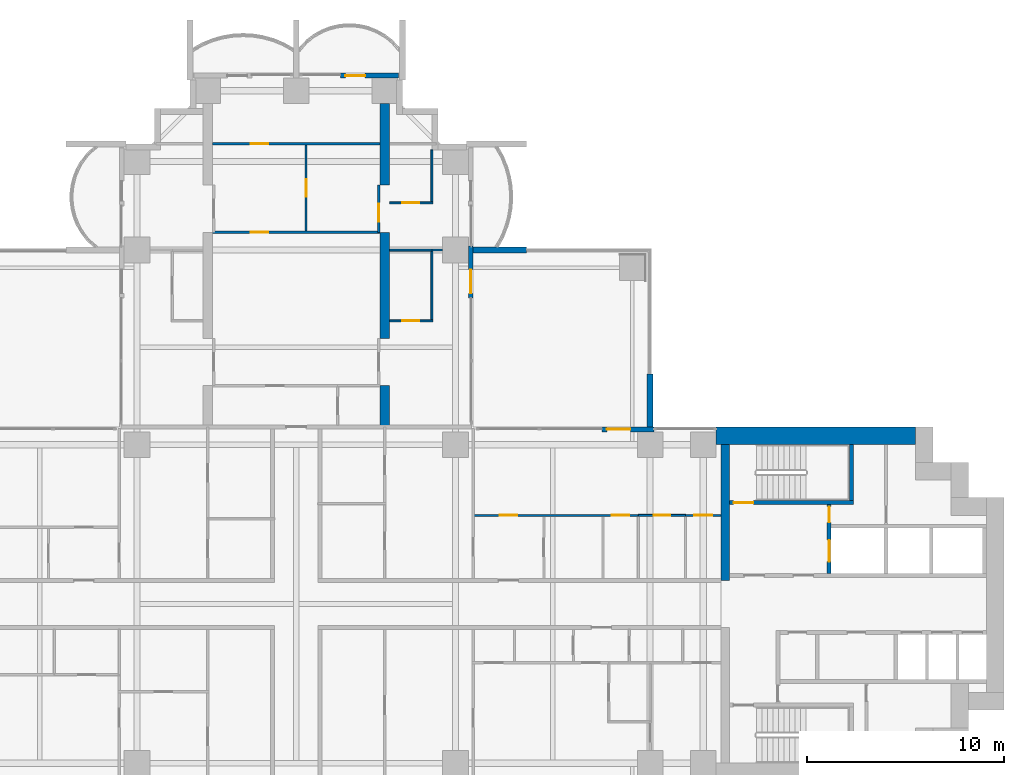
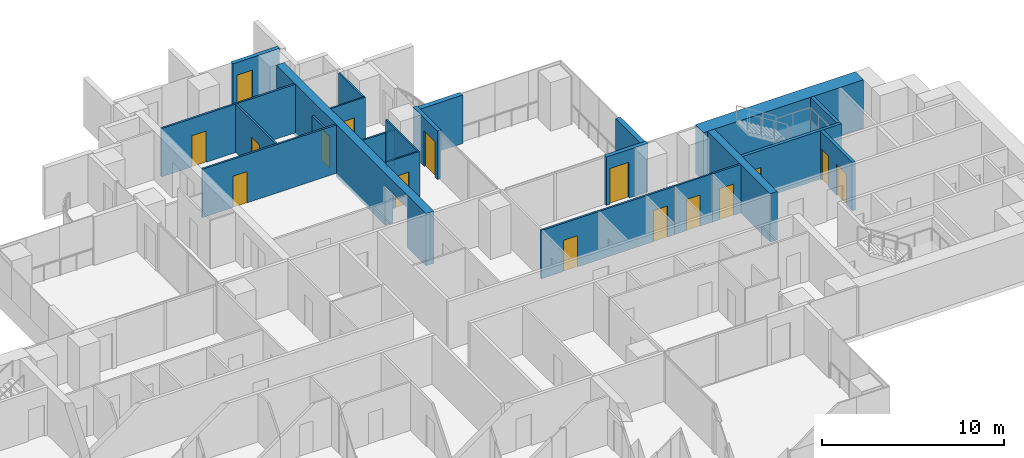
# One storey, part 15 of 21: 24 walls, 16 doors, 16 openings.
"""IFC4 building model written with IfcOpenShell, lengths in metres."""

from ifc_helpers import new_model, si_unit, direction, frame, frame_2d, origin, place, context, subcontext, project, spatial, polyline, rectangle, outline, extrude, material, layer, layer_set, material_profile, profile_set, type_object, element, fill, save


model = new_model("IFC4")

# Units and contexts
model_context = context("Model", 3, precision=1e-05, world=origin(), true_north=direction((0.0, 1.0)))
body_context = subcontext(model_context, "Body", "Model", "MODEL_VIEW")
ifc_project = project(units=[si_unit("LENGTHUNIT", "METRE"), si_unit("AREAUNIT", "SQUARE_METRE"), si_unit("VOLUMEUNIT", "CUBIC_METRE"), si_unit("PLANEANGLEUNIT", "RADIAN"), si_unit("MASSUNIT", "GRAM", prefix="KILO")], contexts=[model_context])

# Site, building, storey
site_placement = place(None, origin())
site = spatial("IfcSite", under=ifc_project, at=site_placement, CompositionType="ELEMENT")
building_placement = place(site_placement, origin())
building = spatial("IfcBuilding", under=site, at=building_placement, Name="Perihelion Cross Residences", CompositionType="ELEMENT")
storey_placement = place(building_placement, frame((0.0, 0.0, 57.5)))
storey = spatial("IfcBuildingStorey", under=building, at=storey_placement, Name="L11", CompositionType="ELEMENT", Elevation=57.5)

# Wall, opening, door
ifc_material_1 = material(Name="Concrete C30/37, bronze-clad", Category="concrete")
ifc_layer_1 = layer(ifc_material_1, 0.25)
ifc_layer_set_1 = layer_set([ifc_layer_1], Name="Bronze-clad pier wall 250")
wall_type_1 = type_object("IfcWallType", Name="Bronze-clad pier wall 250", PredefinedType="SOLIDWALL", material=ifc_layer_set_1)
wall_1_placement = place(storey_placement, frame((18.199951171875, 8.875, 0.0), z_axis=(0.0, 0.0, 1.0), x_axis=(-1.0, 0.0, 0.0)))
wall_1 = element("IfcWall", 1, at=wall_1_placement, inside=storey, type_object=wall_type_1, Name="Wall FW1 L11 east side north bay 2 pier", PredefinedType="SOLIDWALL", context=body_context, shape_type="SweptSolid", body=[
    extrude(rectangle(XDim=2.64990234375, YDim=0.25, at=frame_2d((1.324951171875, 0.0))), origin(), (0.0, 0.0, 1.0), 3.25),
])
opening_1_placement = place(wall_1_placement, frame((1.199951171875, 0.0, 0.0)))
opening_1 = element("IfcOpeningElement", 2, at=opening_1_placement, cuts=wall_1, Name="Opening L11.E01", PredefinedType="OPENING", context=body_context, shape_type="SweptSolid", body=[
    extrude(rectangle(XDim=1.199951171875, YDim=2.39990234375, at=frame_2d((0.60009765625, 1.199951171875))), frame((0.0, 0.135009765625, 0.0), z_axis=(0.0, -1.0, 0.0), x_axis=(1.0, 0.0, 0.0)), (0.0, 0.0, 1.0), 0.27001953125),
])
ifc_material_2 = material(Name="Bronze anodised aluminium, glazed", Category="aluminium")
door_type_1 = type_object("IfcDoorType", Name="Balcony door 1200 x 2400", OperationType="NOTDEFINED", PredefinedType="DOOR", material=ifc_material_2)
door_1_placement = place(opening_1_placement, origin())
door_1 = element("IfcDoor", 3, at=door_1_placement, inside=storey, type_object=door_type_1, Name="Door L11.E01 east side north bay 2", OperationType="SINGLE_SWING_RIGHT", OverallHeight=2.39990234375, OverallWidth=1.199951171875, PredefinedType="DOOR", context=body_context, shape_type="SweptSolid", body=[
    extrude(rectangle(XDim=1.199951171875, YDim=2.39990234375, at=frame_2d((0.60009765625, 1.199951171875))), frame((0.0, 0.02490234375, 0.0), z_axis=(0.0, -1.0, 0.0), x_axis=(1.0, 0.0, 0.0)), (0.0, 0.0, 1.0), 0.050048828125),
])
fill(opening_1, door_1)

wall_2_placement = place(storey_placement, frame((8.875, 15.550048828125, 0.0), z_axis=(0.0, 0.0, 1.0), x_axis=(0.0, 1.0, 0.0)))
wall_2 = element("IfcWall", 4, at=wall_2_placement, inside=storey, type_object=wall_type_1, Name="Wall FW1 L11 north side east bay 1 pier", PredefinedType="SOLIDWALL", context=body_context, shape_type="SweptSolid", body=[
    extrude(rectangle(XDim=2.64990234375, YDim=0.25, at=frame_2d((1.324951171875, 0.0))), origin(), (0.0, 0.0, 1.0), 3.25),
])
opening_2_placement = place(wall_2_placement, frame((0.25, 0.0, 0.0)))
opening_2 = element("IfcOpeningElement", 5, at=opening_2_placement, cuts=wall_2, Name="Opening L11.E02", PredefinedType="OPENING", context=body_context, shape_type="SweptSolid", body=[
    extrude(rectangle(XDim=1.199951171875, YDim=2.39990234375, at=frame_2d((0.60009765625, 1.199951171875))), frame((0.0, 0.135009765625, 0.0), z_axis=(0.0, -1.0, 0.0), x_axis=(1.0, 0.0, 0.0)), (0.0, 0.0, 1.0), 0.27001953125),
])
door_2_placement = place(opening_2_placement, origin())
door_2 = element("IfcDoor", 6, at=door_2_placement, inside=storey, type_object=door_type_1, Name="Door L11.E02 north side east bay 1", OperationType="SINGLE_SWING_LEFT", OverallHeight=2.39990234375, OverallWidth=1.199951171875, PredefinedType="DOOR", context=body_context, shape_type="SweptSolid", body=[
    extrude(rectangle(XDim=1.199951171875, YDim=2.39990234375, at=frame_2d((0.60009765625, 1.199951171875))), frame((0.0, 0.02490234375, 0.0), z_axis=(0.0, -1.0, 0.0), x_axis=(1.0, 0.0, 0.0)), (0.0, 0.0, 1.0), 0.050048828125),
])
fill(opening_2, door_2)

wall_3_placement = place(storey_placement, frame((5.199951171875, 26.875, 0.0), z_axis=(0.0, 0.0, 1.0), x_axis=(-1.0, 0.0, 0.0)))
wall_3 = element("IfcWall", 7, at=wall_3_placement, inside=storey, type_object=wall_type_1, Name="Wall FW1 L11 north tip north bay 1 pier", PredefinedType="SOLIDWALL", context=body_context, shape_type="SweptSolid", body=[
    extrude(rectangle(XDim=2.949951171875, YDim=0.25, at=frame_2d((1.47509765625, 0.0))), origin(), (0.0, 0.0, 1.0), 3.25),
])
opening_3_placement = place(wall_3_placement, frame((1.699951171875, 0.0, 0.0)))
opening_3 = element("IfcOpeningElement", 8, at=opening_3_placement, cuts=wall_3, Name="Opening L11.E04", PredefinedType="OPENING", context=body_context, shape_type="SweptSolid", body=[
    extrude(rectangle(XDim=1.0, YDim=2.39990234375, at=frame_2d((0.5, 1.199951171875))), frame((0.0, 0.135009765625, 0.0), z_axis=(0.0, -1.0, 0.0), x_axis=(1.0, 0.0, 0.0)), (0.0, 0.0, 1.0), 0.27001953125),
])
ifc_material_3 = material(Name="Bronze anodised aluminium, glazed", Category="aluminium")
door_type_2 = type_object("IfcDoorType", Name="Balcony door 1000 x 2400", OperationType="NOTDEFINED", PredefinedType="DOOR", material=ifc_material_3)
door_3_placement = place(opening_3_placement, origin())
door_3 = element("IfcDoor", 9, at=door_3_placement, inside=storey, type_object=door_type_2, Name="Door L11.E04 north tip north bay 1", OperationType="SINGLE_SWING_LEFT", OverallHeight=2.39990234375, OverallWidth=1.0, PredefinedType="DOOR", context=body_context, shape_type="SweptSolid", body=[
    extrude(rectangle(XDim=1.0, YDim=2.39990234375, at=frame_2d((0.5, 1.199951171875))), frame((0.0, 0.02490234375, 0.0), z_axis=(0.0, -1.0, 0.0), x_axis=(1.0, 0.0, 0.0)), (0.0, 0.0, 1.0), 0.050048828125),
])
fill(opening_3, door_3)

# Walls
ifc_material_4 = material(Name="Concrete C60/75", Category="concrete")
ifc_layer_2 = layer(ifc_material_4, 0.449951171875)
ifc_layer_set_2 = layer_set([ifc_layer_2], Name="Core wall, inner 450")
wall_type_2 = type_object("IfcWallType", Name="Core wall, inner 450", PredefinedType="SHEAR", material=ifc_layer_set_2)
wall_4_placement = place(storey_placement, frame((21.824951171875, 1.199951171875, 0.0), z_axis=(0.0, 0.0, 1.0), x_axis=(0.0, 1.0, 0.0)))
element("IfcWall", 10, at=wall_4_placement, inside=storey, type_object=wall_type_2, Name="East core core wall, inner", PredefinedType="SHEAR", context=body_context, shape_type="SweptSolid", body=[
    extrude(rectangle(XDim=6.900146484375, YDim=0.449951171875, at=frame_2d((3.4501953125, 0.0))), origin(), (0.0, 0.0, 1.0), 3.25),
])
ifc_material_5 = material(Name="Concrete C60/75", Category="concrete")
ifc_layer_3 = layer(ifc_material_5, 0.89990234375)
ifc_layer_set_3 = layer_set([ifc_layer_3], Name="Core wall, outer 900")
wall_type_3 = type_object("IfcWallType", Name="Core wall, outer 900", PredefinedType="SHEAR", material=ifc_layer_set_3)
wall_5_placement = place(storey_placement, frame((21.35009765625, 8.550048828125, 0.0), z_axis=(0.0, 0.0, 1.0), x_axis=(1.0, 0.0, 0.0)))
element("IfcWall", 11, at=wall_5_placement, inside=storey, type_object=wall_type_3, Name="East core core wall, outer", PredefinedType="SHEAR", context=body_context, shape_type="SweptSolid", body=[
    extrude(rectangle(XDim=10.14990234375, YDim=0.89990234375, at=frame_2d((5.074951171875, 0.0))), origin(), (0.0, 0.0, 1.0), 3.25),
])

# Wall, opening, door
ifc_material_6 = material(Name="Plasterboard partition")
ifc_layer_4 = layer(ifc_material_6, 0.1201171875)
ifc_layer_set_4 = layer_set([ifc_layer_4], Name="Infill panel 120")
wall_type_4 = type_object("IfcWallType", Name="Infill panel 120", PredefinedType="PARTITIONING", material=ifc_layer_set_4)
wall_6_placement = place(storey_placement, frame((4.18994140625, 18.89990234375, 0.0), z_axis=(0.0, 0.0, 1.0), x_axis=(0.0, 1.0, 0.0)))
wall_6 = element("IfcWall", 12, at=wall_6_placement, inside=storey, type_object=wall_type_4, Name="Partition L11 WI02", PredefinedType="PARTITIONING", context=body_context, shape_type="SweptSolid", body=[
    extrude(rectangle(XDim=2.400146484375, YDim=0.1201171875, at=frame_2d((1.2001953125, 0.0))), origin(), (0.0, 0.0, 1.0), 2.39990234375),
])
opening_4_placement = place(wall_6_placement, frame((0.550048828125, 0.0, 0.0)))
opening_4 = element("IfcOpeningElement", 13, at=opening_4_placement, cuts=wall_6, Name="Opening L11.A58", PredefinedType="OPENING", context=body_context, shape_type="SweptSolid", body=[
    extrude(rectangle(XDim=0.89990234375, YDim=2.10009765625, at=frame_2d((0.449951171875, 1.050048828125))), frame((0.0, 0.070068359375, 0.0), z_axis=(0.0, -1.0, 0.0), x_axis=(1.0, 0.0, 0.0)), (0.0, 0.0, 1.0), 0.14013671875),
])
ifc_material_7 = material(Name="Timber door leaf", Category="wood")
door_type_3 = type_object("IfcDoorType", Name="Interior room door 900 x 2100", OperationType="SINGLE_SWING_LEFT", PredefinedType="DOOR", material=ifc_material_7)
door_4_placement = place(opening_4_placement, origin())
door_4 = element("IfcDoor", 14, at=door_4_placement, inside=storey, type_object=door_type_3, Name="Door L11.A58", OperationType="SINGLE_SWING_RIGHT", OverallHeight=2.10009765625, OverallWidth=0.89990234375, PredefinedType="DOOR", context=body_context, shape_type="SweptSolid", body=[
    extrude(rectangle(XDim=0.89990234375, YDim=2.10009765625, at=frame_2d((0.449951171875, 1.050048828125))), frame((0.0, 0.02490234375, 0.0), z_axis=(0.0, -1.0, 0.0), x_axis=(1.0, 0.0, 0.0)), (0.0, 0.0, 1.0), 0.050048828125),
])
fill(opening_4, door_4)

# Wall, openings, doors
ifc_material_8 = material(Name="Plasterboard partition")
ifc_layer_5 = layer(ifc_material_8, 0.1201171875)
ifc_layer_set_5 = layer_set([ifc_layer_5], Name="Partition wall 120")
wall_type_5 = type_object("IfcWallType", Name="Partition wall 120", PredefinedType="PARTITIONING", material=ifc_layer_set_5)
wall_7_placement = place(storey_placement, frame((8.93994140625, 4.5, 0.0), z_axis=(0.0, 0.0, 1.0), x_axis=(1.0, 0.0, 0.0)))
wall_7 = element("IfcWall", 15, at=wall_7_placement, inside=storey, type_object=wall_type_5, Name="Partition L11 W012", PredefinedType="PARTITIONING", context=body_context, shape_type="SweptSolid", body=[
    extrude(rectangle(XDim=8.4599609375, YDim=0.1201171875, at=frame_2d((4.22998046875, 0.0))), origin(), (0.0, 0.0, 1.0), 3.25),
])
opening_5_placement = place(wall_7_placement, frame((7.110107421875, 0.0, 0.0)))
opening_5 = element("IfcOpeningElement", 16, at=opening_5_placement, cuts=wall_7, Name="Opening L11.A06", PredefinedType="OPENING", context=body_context, shape_type="SweptSolid", body=[
    extrude(rectangle(XDim=0.89990234375, YDim=2.10009765625, at=frame_2d((0.449951171875, 1.050048828125))), frame((0.0, 0.070068359375, 0.0), z_axis=(0.0, -1.0, 0.0), x_axis=(1.0, 0.0, 0.0)), (0.0, 0.0, 1.0), 0.14013671875),
])
opening_6_placement = place(wall_7_placement, frame((1.409912109375, 0.0, 0.0)))
opening_6 = element("IfcOpeningElement", 17, at=opening_6_placement, cuts=wall_7, Name="Opening L11.A08", PredefinedType="OPENING", context=body_context, shape_type="SweptSolid", body=[
    extrude(rectangle(XDim=0.89990234375, YDim=2.10009765625, at=frame_2d((0.449951171875, 1.050048828125))), frame((0.0, 0.070068359375, 0.0), z_axis=(0.0, -1.0, 0.0), x_axis=(1.0, 0.0, 0.0)), (0.0, 0.0, 1.0), 0.14013671875),
])
door_5_placement = place(opening_5_placement, origin())
door_5 = element("IfcDoor", 18, at=door_5_placement, inside=storey, type_object=door_type_3, Name="Door L11.A06", OperationType="SINGLE_SWING_RIGHT", OverallHeight=2.10009765625, OverallWidth=0.89990234375, PredefinedType="DOOR", context=body_context, shape_type="SweptSolid", body=[
    extrude(rectangle(XDim=0.89990234375, YDim=2.10009765625, at=frame_2d((0.449951171875, 1.050048828125))), frame((0.0, 0.02490234375, 0.0), z_axis=(0.0, -1.0, 0.0), x_axis=(1.0, 0.0, 0.0)), (0.0, 0.0, 1.0), 0.050048828125),
])
fill(opening_5, door_5)
door_6_placement = place(opening_6_placement, origin())
door_6 = element("IfcDoor", 19, at=door_6_placement, inside=storey, type_object=door_type_3, Name="Door L11.A08", OperationType="SINGLE_SWING_RIGHT", OverallHeight=2.10009765625, OverallWidth=0.89990234375, PredefinedType="DOOR", context=body_context, shape_type="SweptSolid", body=[
    extrude(rectangle(XDim=0.89990234375, YDim=2.10009765625, at=frame_2d((0.449951171875, 1.050048828125))), frame((0.0, 0.02490234375, 0.0), z_axis=(0.0, -1.0, 0.0), x_axis=(1.0, 0.0, 0.0)), (0.0, 0.0, 1.0), 0.050048828125),
])
fill(opening_6, door_6)

# Wall, opening, door
wall_8_placement = place(storey_placement, frame((19.800048828125, 4.5, 0.0), z_axis=(0.0, 0.0, 1.0), x_axis=(1.0, 0.0, 0.0)))
wall_8 = element("IfcWall", 20, at=wall_8_placement, inside=storey, type_object=wall_type_5, Name="Partition L11 W018", PredefinedType="PARTITIONING", context=body_context, shape_type="SweptSolid", body=[
    extrude(rectangle(XDim=1.800048828125, YDim=0.1201171875, at=frame_2d((0.89990234375, 0.0))), origin(), (0.0, 0.0, 1.0), 3.25),
])
opening_7_placement = place(wall_8_placement, frame((0.449951171875, 0.0, 0.0)))
opening_7 = element("IfcOpeningElement", 21, at=opening_7_placement, cuts=wall_8, Name="Opening L11.A02", PredefinedType="OPENING", context=body_context, shape_type="SweptSolid", body=[
    extrude(rectangle(XDim=0.89990234375, YDim=2.10009765625, at=frame_2d((0.449951171875, 1.050048828125))), frame((0.0, 0.070068359375, 0.0), z_axis=(0.0, -1.0, 0.0), x_axis=(1.0, 0.0, 0.0)), (0.0, 0.0, 1.0), 0.14013671875),
])
door_7_placement = place(opening_7_placement, origin())
door_7 = element("IfcDoor", 22, at=door_7_placement, inside=storey, type_object=door_type_3, Name="Door L11.A02", OperationType="SINGLE_SWING_RIGHT", OverallHeight=2.10009765625, OverallWidth=0.89990234375, PredefinedType="DOOR", context=body_context, shape_type="SweptSolid", body=[
    extrude(rectangle(XDim=0.89990234375, YDim=2.10009765625, at=frame_2d((0.449951171875, 1.050048828125))), frame((0.0, 0.02490234375, 0.0), z_axis=(0.0, -1.0, 0.0), x_axis=(1.0, 0.0, 0.0)), (0.0, 0.0, 1.0), 0.050048828125),
])
fill(opening_7, door_7)

wall_9_placement = place(storey_placement, frame((-4.25, 18.89990234375, 0.0), z_axis=(0.0, 0.0, 1.0), x_axis=(1.0, 0.0, 0.0)))
wall_9 = element("IfcWall", 23, at=wall_9_placement, inside=storey, type_object=wall_type_5, Name="Partition L11 W063", PredefinedType="PARTITIONING", context=body_context, shape_type="SweptSolid", body=[
    extrude(rectangle(XDim=8.5, YDim=0.1201171875, at=frame_2d((4.25, 0.0))), origin(), (0.0, 0.0, 1.0), 3.25),
])
opening_8_placement = place(wall_9_placement, frame((1.925048828125, 0.0, 0.0)))
opening_8 = element("IfcOpeningElement", 24, at=opening_8_placement, cuts=wall_9, Name="Opening L11.A39", PredefinedType="OPENING", context=body_context, shape_type="SweptSolid", body=[
    extrude(rectangle(XDim=0.89990234375, YDim=2.10009765625, at=frame_2d((0.449951171875, 1.050048828125))), frame((0.0, 0.070068359375, 0.0), z_axis=(0.0, -1.0, 0.0), x_axis=(1.0, 0.0, 0.0)), (0.0, 0.0, 1.0), 0.14013671875),
])
door_8_placement = place(opening_8_placement, origin())
door_8 = element("IfcDoor", 25, at=door_8_placement, inside=storey, type_object=door_type_3, Name="Door L11.A39", OperationType="SINGLE_SWING_RIGHT", OverallHeight=2.10009765625, OverallWidth=0.89990234375, PredefinedType="DOOR", context=body_context, shape_type="SweptSolid", body=[
    extrude(rectangle(XDim=0.89990234375, YDim=2.10009765625, at=frame_2d((0.449951171875, 1.050048828125))), frame((0.0, 0.02490234375, 0.0), z_axis=(0.0, -1.0, 0.0), x_axis=(1.0, 0.0, 0.0)), (0.0, 0.0, 1.0), 0.050048828125),
])
fill(opening_8, door_8)

wall_10_placement = place(storey_placement, frame((0.5, 23.340087890625, 0.0), z_axis=(0.0, 0.0, 1.0), x_axis=(0.0, -1.0, 0.0)))
wall_10 = element("IfcWall", 26, at=wall_10_placement, inside=storey, type_object=wall_type_5, Name="Partition L11 W064", PredefinedType="PARTITIONING", context=body_context, shape_type="SweptSolid", body=[
    extrude(rectangle(XDim=4.380126953125, YDim=0.1201171875, at=frame_2d((2.18994140625, 0.0))), origin(), (0.0, 0.0, 1.0), 3.25),
])
opening_9_placement = place(wall_10_placement, frame((1.739990234375, 0.0, 0.0)))
opening_9 = element("IfcOpeningElement", 27, at=opening_9_placement, cuts=wall_10, Name="Opening L11.A40", PredefinedType="OPENING", context=body_context, shape_type="SweptSolid", body=[
    extrude(rectangle(XDim=0.89990234375, YDim=2.10009765625, at=frame_2d((0.449951171875, 1.050048828125))), frame((0.0, 0.070068359375, 0.0), z_axis=(0.0, -1.0, 0.0), x_axis=(1.0, 0.0, 0.0)), (0.0, 0.0, 1.0), 0.14013671875),
])
door_9_placement = place(opening_9_placement, origin())
door_9 = element("IfcDoor", 28, at=door_9_placement, inside=storey, type_object=door_type_3, Name="Door L11.A40", OperationType="SINGLE_SWING_LEFT", OverallHeight=2.10009765625, OverallWidth=0.89990234375, PredefinedType="DOOR", context=body_context, shape_type="SweptSolid", body=[
    extrude(rectangle(XDim=0.89990234375, YDim=2.10009765625, at=frame_2d((0.449951171875, 1.050048828125))), frame((0.0, 0.02490234375, 0.0), z_axis=(0.0, -1.0, 0.0), x_axis=(1.0, 0.0, 0.0)), (0.0, 0.0, 1.0), 0.050048828125),
])
fill(opening_9, door_9)

wall_11_placement = place(storey_placement, frame((-4.25, 23.39990234375, 0.0), z_axis=(0.0, 0.0, 1.0), x_axis=(1.0, 0.0, 0.0)))
wall_11 = element("IfcWall", 29, at=wall_11_placement, inside=storey, type_object=wall_type_5, Name="Partition L11 W065", PredefinedType="PARTITIONING", context=body_context, shape_type="SweptSolid", body=[
    extrude(rectangle(XDim=8.5, YDim=0.1201171875, at=frame_2d((4.25, 0.0))), origin(), (0.0, 0.0, 1.0), 3.25),
])
opening_10_placement = place(wall_11_placement, frame((1.925048828125, 0.0, 0.0)))
opening_10 = element("IfcOpeningElement", 30, at=opening_10_placement, cuts=wall_11, Name="Opening L11.A41", PredefinedType="OPENING", context=body_context, shape_type="SweptSolid", body=[
    extrude(rectangle(XDim=0.89990234375, YDim=2.10009765625, at=frame_2d((0.449951171875, 1.050048828125))), frame((0.0, 0.070068359375, 0.0), z_axis=(0.0, -1.0, 0.0), x_axis=(1.0, 0.0, 0.0)), (0.0, 0.0, 1.0), 0.14013671875),
])
door_10_placement = place(opening_10_placement, origin())
door_10 = element("IfcDoor", 31, at=door_10_placement, inside=storey, type_object=door_type_3, Name="Door L11.A41", OperationType="SINGLE_SWING_LEFT", OverallHeight=2.10009765625, OverallWidth=0.89990234375, PredefinedType="DOOR", context=body_context, shape_type="SweptSolid", body=[
    extrude(rectangle(XDim=0.89990234375, YDim=2.10009765625, at=frame_2d((0.449951171875, 1.050048828125))), frame((0.0, 0.02490234375, 0.0), z_axis=(0.0, -1.0, 0.0), x_axis=(1.0, 0.0, 0.0)), (0.0, 0.0, 1.0), 0.050048828125),
])
fill(opening_10, door_10)

# Walls
wall_12_placement = place(storey_placement, frame((6.89990234375, 18.0, 0.0), z_axis=(0.0, 0.0, 1.0), x_axis=(1.0, 0.0, 0.0)))
element("IfcWall", 32, at=wall_12_placement, inside=storey, type_object=wall_type_5, Name="Partition L11 W068", PredefinedType="PARTITIONING", context=body_context, shape_type="SweptSolid", body=[
    extrude(rectangle(XDim=0.550048828125, YDim=0.1201171875, at=frame_2d((0.27490234375, 0.0))), origin(), (0.0, 0.0, 1.0), 2.345947265625),
])
ifc_material_9 = material(Name="Precast concrete C50/60", Category="concrete")
ifc_layer_6 = layer(ifc_material_9, 0.300048828125)
ifc_layer_set_6 = layer_set([ifc_layer_6], Name="Precast concrete C50/60 blade wall 300")
wall_type_6 = type_object("IfcWallType", Name="Precast concrete C50/60 blade wall 300", PredefinedType="SOLIDWALL", material=ifc_layer_set_6)
for number, where, z_axis, x_axis, name in (
    (33, (8.75, 18.0, 0.0), (0.0, 0.0, 1.0), (1.0, 0.0, 0.0), "Wall BL1 L11 no. 17"),
    (34, (18.0, 8.75, 0.0), (0.0, 0.0, 1.0), (0.0, 1.0, 0.0), "Wall BL1 L11 no. 12"),
):
    element("IfcWall", number, at=place(storey_placement, frame(where, z_axis=z_axis, x_axis=x_axis)), inside=storey, type_object=wall_type_6, Name=name, PredefinedType="SOLIDWALL", context=body_context, shape_type="SweptSolid", body=[
        extrude(rectangle(XDim=2.949951171875, YDim=0.300048828125, at=frame_2d((1.47509765625, 0.0))), origin(), (0.0, 0.0, 1.0), 3.25),
    ])

# Wall, openings, doors
ifc_material_10 = material(Name="Concrete C50/60", Category="concrete")
ifc_layer_7 = layer(ifc_material_10, 0.199951171875)
ifc_layer_set_7 = layer_set([ifc_layer_7], Name="Shaft wall 200")
wall_type_7 = type_object("IfcWallType", Name="Shaft wall 200", PredefinedType="SOLIDWALL", material=ifc_layer_set_7)
wall_13_placement = place(storey_placement, frame((27.10009765625, 1.550048828125, 0.0), z_axis=(0.0, 0.0, 1.0), x_axis=(0.0, 1.0, 0.0)))
wall_13 = element("IfcWall", 35, at=wall_13_placement, inside=storey, type_object=wall_type_7, Name="East core shaft wall", PredefinedType="SOLIDWALL", context=body_context, shape_type="SweptSolid", body=[
    extrude(rectangle(XDim=3.5, YDim=0.199951171875, at=frame_2d((1.75, 0.0))), origin(), (0.0, 0.0, 1.0), 3.25),
])
opening_11_placement = place(wall_13_placement, frame((0.60009765625, 0.0, 0.0)))
opening_11 = element("IfcOpeningElement", 36, at=opening_11_placement, cuts=wall_13, Name="Opening L11.C01", PredefinedType="OPENING", context=body_context, shape_type="SweptSolid", body=[
    extrude(rectangle(XDim=1.10009765625, YDim=2.10009765625, at=frame_2d((0.550048828125, 1.050048828125))), frame((0.0, 0.10986328125, 0.0), z_axis=(0.0, -1.0, 0.0), x_axis=(1.0, 0.0, 0.0)), (0.0, 0.0, 1.0), 0.219970703125),
])
opening_12_placement = place(wall_13_placement, frame((2.60009765625, 0.0, 0.0)))
opening_12 = element("IfcOpeningElement", 37, at=opening_12_placement, cuts=wall_13, Name="Opening L11.C11", PredefinedType="OPENING", context=body_context, shape_type="SweptSolid", body=[
    extrude(rectangle(XDim=0.800048828125, YDim=2.10009765625, at=frame_2d((0.39990234375, 1.050048828125))), frame((0.0, 0.10986328125, 0.0), z_axis=(0.0, -1.0, 0.0), x_axis=(1.0, 0.0, 0.0)), (0.0, 0.0, 1.0), 0.219970703125),
])
ifc_material_11 = material(Name="Stainless steel", Category="steel")
door_type_4 = type_object("IfcDoorType", Name="Landing door, firefighting lift 1100", OperationType="DOUBLE_DOOR_SLIDING", PredefinedType="DOOR", material=ifc_material_11)
door_11_placement = place(opening_11_placement, origin())
door_11 = element("IfcDoor", 38, at=door_11_placement, inside=storey, type_object=door_type_4, Name="Landing door, East core firefighting and service lift", OperationType="DOUBLE_DOOR_SLIDING", OverallHeight=2.10009765625, OverallWidth=1.10009765625, PredefinedType="DOOR", context=body_context, shape_type="SweptSolid", body=[
    extrude(rectangle(XDim=1.10009765625, YDim=2.10009765625, at=frame_2d((0.550048828125, 1.050048828125))), frame((0.0, 0.02490234375, 0.0), z_axis=(0.0, -1.0, 0.0), x_axis=(1.0, 0.0, 0.0)), (0.0, 0.0, 1.0), 0.050048828125),
])
fill(opening_11, door_11)
ifc_material_12 = material(Name="Steel, powder coated", Category="steel")
door_type_5 = type_object("IfcDoorType", Name="Riser door 800", OperationType="SINGLE_SWING_LEFT", PredefinedType="DOOR", material=ifc_material_12)
door_12_placement = place(opening_12_placement, origin())
door_12 = element("IfcDoor", 39, at=door_12_placement, inside=storey, type_object=door_type_5, Name="East core riser door", OperationType="SINGLE_SWING_LEFT", OverallHeight=2.10009765625, OverallWidth=0.800048828125, PredefinedType="DOOR", context=body_context, shape_type="SweptSolid", body=[
    extrude(rectangle(XDim=0.800048828125, YDim=2.10009765625, at=frame_2d((0.39990234375, 1.050048828125))), frame((0.0, 0.02490234375, 0.0), z_axis=(0.0, -1.0, 0.0), x_axis=(1.0, 0.0, 0.0)), (0.0, 0.0, 1.0), 0.050048828125),
])
fill(opening_12, door_12)

# Wall, opening, door
ifc_material_13 = material(Name="Concrete C50/60", Category="concrete")
ifc_layer_8 = layer(ifc_material_13, 0.199951171875)
ifc_layer_set_8 = layer_set([ifc_layer_8], Name="Stair wall 200")
wall_type_8 = type_object("IfcWallType", Name="Stair wall 200", PredefinedType="SOLIDWALL", material=ifc_layer_set_8)
wall_14_placement = place(storey_placement, frame((22.050048828125, 5.14990234375, 0.0), z_axis=(0.0, 0.0, 1.0), x_axis=(1.0, 0.0, 0.0)))
wall_14 = element("IfcWall", 40, at=wall_14_placement, inside=storey, type_object=wall_type_8, Name="East core stair wall", PredefinedType="SOLIDWALL", context=body_context, shape_type="SweptSolid", body=[
    extrude(rectangle(XDim=6.300048828125, YDim=0.199951171875, at=frame_2d((3.14990234375, 0.0))), origin(), (0.0, 0.0, 1.0), 3.25),
])
opening_13_placement = place(wall_14_placement, frame((0.199951171875, 0.0, 0.0)))
opening_13 = element("IfcOpeningElement", 41, at=opening_13_placement, cuts=wall_14, Name="Opening L11.C06", PredefinedType="OPENING", context=body_context, shape_type="SweptSolid", body=[
    extrude(rectangle(XDim=1.0, YDim=2.10009765625, at=frame_2d((0.5, 1.050048828125))), frame((0.0, 0.10986328125, 0.0), z_axis=(0.0, -1.0, 0.0), x_axis=(1.0, 0.0, 0.0)), (0.0, 0.0, 1.0), 0.219970703125),
])
ifc_material_14 = material(Name="Steel, powder coated", Category="steel")
door_type_6 = type_object("IfcDoorType", Name="Stair door 1000", OperationType="SINGLE_SWING_LEFT", PredefinedType="DOOR", material=ifc_material_14)
door_13_placement = place(opening_13_placement, origin())
door_13 = element("IfcDoor", 42, at=door_13_placement, inside=storey, type_object=door_type_6, Name="East core stair door", OperationType="SINGLE_SWING_LEFT", OverallHeight=2.10009765625, OverallWidth=1.0, PredefinedType="DOOR", context=body_context, shape_type="SweptSolid", body=[
    extrude(rectangle(XDim=1.0, YDim=2.10009765625, at=frame_2d((0.5, 1.050048828125))), frame((0.0, 0.02490234375, 0.0), z_axis=(0.0, -1.0, 0.0), x_axis=(1.0, 0.0, 0.0)), (0.0, 0.0, 1.0), 0.050048828125),
])
fill(opening_13, door_13)

# Walls
wall_15_placement = place(storey_placement, frame((28.25, 5.25, 0.0), z_axis=(0.0, 0.0, 1.0), x_axis=(0.0, 1.0, 0.0)))
element("IfcWall", 43, at=wall_15_placement, inside=storey, type_object=wall_type_8, Name="East core stair wall", PredefinedType="SOLIDWALL", context=body_context, shape_type="SweptSolid", body=[
    extrude(rectangle(XDim=2.85009765625, YDim=0.199951171875, at=frame_2d((1.425048828125, 0.0))), origin(), (0.0, 0.0, 1.0), 3.25),
])
ifc_material_15 = material(Name="Concrete C60/75", Category="concrete")
ifc_material_profile = material_profile(ifc_material_15, outline(polyline([(0.0, 0.0), (2.10009765625, 0.0), (2.10009765625, 2.64990234375), (4.5, 2.64990234375), (4.5, 0.0), (9.89990234375, 0.0), (9.89990234375, 2.64990234375), (12.300048828125, 2.64990234375), (12.300048828125, 0.0), (16.449951171875, 0.0), (16.449951171875, 3.5), (0.0, 3.5), (0.0, 0.0)])), Name="Tip spine wall")
ifc_profile_set = profile_set([ifc_material_profile], Name="Concrete C60/75")
wall_type_9 = type_object("IfcWallType", Name="Tip spine wall 500 with 2 door openings 16450 long 3500 high concrete C60/75 hand B", PredefinedType="SHEAR", material=ifc_profile_set)
wall_16_placement = place(storey_placement, frame((4.25, 9.0, -0.25), z_axis=(1.0, 0.0, 0.0), x_axis=(0.0, 1.0, 0.0)))
element("IfcWall", 44, at=wall_16_placement, inside=storey, type_object=wall_type_9, Name="Shear wall SW23 L11 north east", PredefinedType="SHEAR", context=body_context, shape_type="SweptSolid", body=[
    extrude(outline(polyline([(0.0, 0.0), (2.10009765625, 0.0), (2.10009765625, 2.64990234375), (4.5, 2.64990234375), (4.5, 0.0), (9.89990234375, 0.0), (9.89990234375, 2.64990234375), (12.300048828125, 2.64990234375), (12.300048828125, 0.0), (16.449951171875, 0.0), (16.449951171875, 3.5), (0.0, 3.5), (0.0, 0.0)])), origin(), (0.0, 0.0, 1.0), 0.5),
])

# Wall, opening, door
ifc_material_16 = material(Name="Plasterboard partition")
ifc_layer_9 = layer(ifc_material_16, 0.10009765625)
ifc_layer_set_9 = layer_set([ifc_layer_9], Name="Wet room wall 100")
wall_type_10 = type_object("IfcWallType", Name="Wet room wall 100", PredefinedType="PARTITIONING", material=ifc_layer_set_9)
wall_17_placement = place(storey_placement, frame((17.39990234375, 4.5, 0.0), z_axis=(0.0, 0.0, 1.0), x_axis=(1.0, 0.0, 0.0)))
wall_17 = element("IfcWall", 45, at=wall_17_placement, inside=storey, type_object=wall_type_10, Name="Partition L11 W017", PredefinedType="PARTITIONING", context=body_context, shape_type="SweptSolid", body=[
    extrude(rectangle(XDim=2.400146484375, YDim=0.10009765625, at=frame_2d((1.2001953125, 0.0))), origin(), (0.0, 0.0, 1.0), 3.25),
])
opening_14_placement = place(wall_17_placement, frame((0.77490234375, 0.0, 0.0)))
opening_14 = element("IfcOpeningElement", 46, at=opening_14_placement, cuts=wall_17, Name="Opening L11.A01", PredefinedType="OPENING", context=body_context, shape_type="SweptSolid", body=[
    extrude(rectangle(XDim=0.85009765625, YDim=2.10009765625, at=frame_2d((0.425048828125, 1.050048828125))), frame((0.0, 0.06005859375, 0.0), z_axis=(0.0, -1.0, 0.0), x_axis=(1.0, 0.0, 0.0)), (0.0, 0.0, 1.0), 0.1201171875),
])
ifc_material_17 = material(Name="Timber door leaf", Category="wood")
door_type_7 = type_object("IfcDoorType", Name="Interior bathroom door 850 x 2100", OperationType="SINGLE_SWING_LEFT", PredefinedType="DOOR", material=ifc_material_17)
door_14_placement = place(opening_14_placement, origin())
door_14 = element("IfcDoor", 47, at=door_14_placement, inside=storey, type_object=door_type_7, Name="Door L11.A01", OperationType="SINGLE_SWING_RIGHT", OverallHeight=2.10009765625, OverallWidth=0.85009765625, PredefinedType="DOOR", context=body_context, shape_type="SweptSolid", body=[
    extrude(rectangle(XDim=0.85009765625, YDim=2.10009765625, at=frame_2d((0.425048828125, 1.050048828125))), frame((0.0, 0.02490234375, 0.0), z_axis=(0.0, -1.0, 0.0), x_axis=(1.0, 0.0, 0.0)), (0.0, 0.0, 1.0), 0.050048828125),
])
fill(opening_14, door_14)

wall_18_placement = place(storey_placement, frame((4.75, 14.39990234375, 0.0), z_axis=(0.0, 0.0, 1.0), x_axis=(1.0, 0.0, 0.0)))
wall_18 = element("IfcWall", 48, at=wall_18_placement, inside=storey, type_object=wall_type_10, Name="Partition L11 W066", PredefinedType="PARTITIONING", context=body_context, shape_type="SweptSolid", body=[
    extrude(rectangle(XDim=2.199951171875, YDim=0.10009765625, at=frame_2d((1.10009765625, 0.0))), origin(), (0.0, 0.0, 1.0), 3.25),
])
opening_15_placement = place(wall_18_placement, frame((0.64990234375, 0.0, 0.0)))
opening_15 = element("IfcOpeningElement", 49, at=opening_15_placement, cuts=wall_18, Name="Opening L11.A42", PredefinedType="OPENING", context=body_context, shape_type="SweptSolid", body=[
    extrude(rectangle(XDim=0.85009765625, YDim=2.10009765625, at=frame_2d((0.425048828125, 1.050048828125))), frame((0.0, 0.06005859375, 0.0), z_axis=(0.0, -1.0, 0.0), x_axis=(1.0, 0.0, 0.0)), (0.0, 0.0, 1.0), 0.1201171875),
])
door_15_placement = place(opening_15_placement, origin())
door_15 = element("IfcDoor", 50, at=door_15_placement, inside=storey, type_object=door_type_7, Name="Door L11.A42", OperationType="SINGLE_SWING_RIGHT", OverallHeight=2.10009765625, OverallWidth=0.85009765625, PredefinedType="DOOR", context=body_context, shape_type="SweptSolid", body=[
    extrude(rectangle(XDim=0.85009765625, YDim=2.10009765625, at=frame_2d((0.425048828125, 1.050048828125))), frame((0.0, 0.02490234375, 0.0), z_axis=(0.0, -1.0, 0.0), x_axis=(1.0, 0.0, 0.0)), (0.0, 0.0, 1.0), 0.050048828125),
])
fill(opening_15, door_15)

# Walls
wall_19_placement = place(storey_placement, frame((6.89990234375, 14.449951171875, 0.0), z_axis=(0.0, 0.0, 1.0), x_axis=(0.0, 1.0, 0.0)))
element("IfcWall", 51, at=wall_19_placement, inside=storey, type_object=wall_type_10, Name="Partition L11 W067", PredefinedType="PARTITIONING", context=body_context, shape_type="SweptSolid", body=[
    extrude(rectangle(XDim=3.489990234375, YDim=0.10009765625, at=frame_2d((1.7451171875, 0.0))), origin(), (0.0, 0.0, 1.0), 3.25),
])
wall_20_placement = place(storey_placement, frame((4.75, 18.0, 0.0), z_axis=(0.0, 0.0, 1.0), x_axis=(1.0, 0.0, 0.0)))
element("IfcWall", 52, at=wall_20_placement, inside=storey, type_object=wall_type_10, Name="Partition L11 W069", PredefinedType="PARTITIONING", context=body_context, shape_type="SweptSolid", body=[
    extrude(rectangle(XDim=2.14990234375, YDim=0.10009765625, at=frame_2d((1.074951171875, 0.0))), origin(), (0.0, 0.0, 1.0), 2.345947265625),
])

# Wall, opening, door
wall_21_placement = place(storey_placement, frame((4.75, 20.39990234375, 0.0), z_axis=(0.0, 0.0, 1.0), x_axis=(1.0, 0.0, 0.0)))
wall_21 = element("IfcWall", 53, at=wall_21_placement, inside=storey, type_object=wall_type_10, Name="Partition L11 W070", PredefinedType="PARTITIONING", context=body_context, shape_type="SweptSolid", body=[
    extrude(rectangle(XDim=2.199951171875, YDim=0.10009765625, at=frame_2d((1.10009765625, 0.0))), origin(), (0.0, 0.0, 1.0), 3.25),
])
opening_16_placement = place(wall_21_placement, frame((0.64990234375, 0.0, 0.0)))
opening_16 = element("IfcOpeningElement", 54, at=opening_16_placement, cuts=wall_21, Name="Opening L11.A43", PredefinedType="OPENING", context=body_context, shape_type="SweptSolid", body=[
    extrude(rectangle(XDim=0.85009765625, YDim=2.10009765625, at=frame_2d((0.425048828125, 1.050048828125))), frame((0.0, 0.06005859375, 0.0), z_axis=(0.0, -1.0, 0.0), x_axis=(1.0, 0.0, 0.0)), (0.0, 0.0, 1.0), 0.1201171875),
])
door_16_placement = place(opening_16_placement, origin())
door_16 = element("IfcDoor", 55, at=door_16_placement, inside=storey, type_object=door_type_7, Name="Door L11.A43", OperationType="SINGLE_SWING_LEFT", OverallHeight=2.10009765625, OverallWidth=0.85009765625, PredefinedType="DOOR", context=body_context, shape_type="SweptSolid", body=[
    extrude(rectangle(XDim=0.85009765625, YDim=2.10009765625, at=frame_2d((0.425048828125, 1.050048828125))), frame((0.0, 0.02490234375, 0.0), z_axis=(0.0, -1.0, 0.0), x_axis=(1.0, 0.0, 0.0)), (0.0, 0.0, 1.0), 0.050048828125),
])
fill(opening_16, door_16)

# Wall
wall_22_placement = place(storey_placement, frame((6.89990234375, 20.449951171875, 0.0), z_axis=(0.0, 0.0, 1.0), x_axis=(0.0, 1.0, 0.0)))
element("IfcWall", 56, at=wall_22_placement, inside=storey, type_object=wall_type_10, Name="Partition L11 W071", PredefinedType="PARTITIONING", context=body_context, shape_type="SweptSolid", body=[
    extrude(rectangle(XDim=2.650146484375, YDim=0.10009765625, at=frame_2d((1.3251953125, 0.0))), origin(), (0.0, 0.0, 1.0), 3.25),
])

save(model, "model.ifc")
